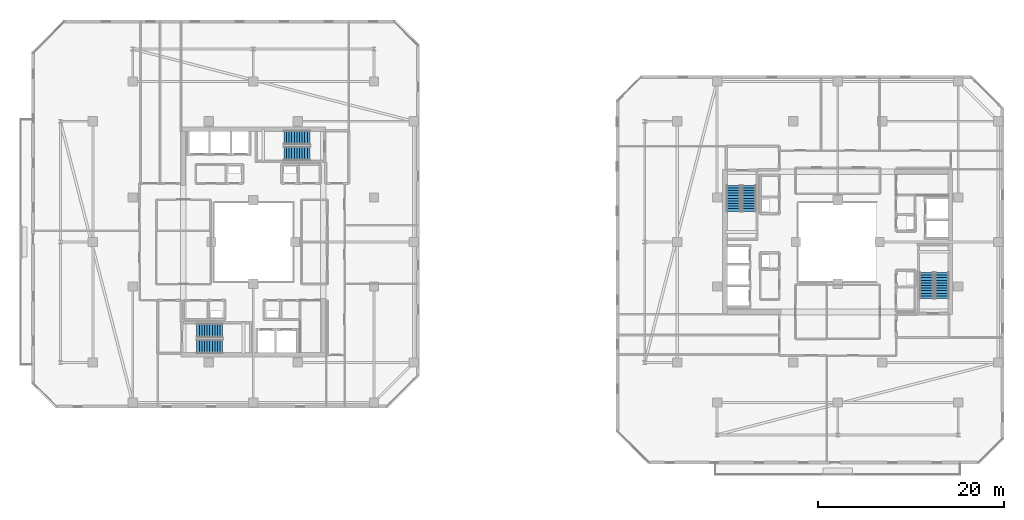
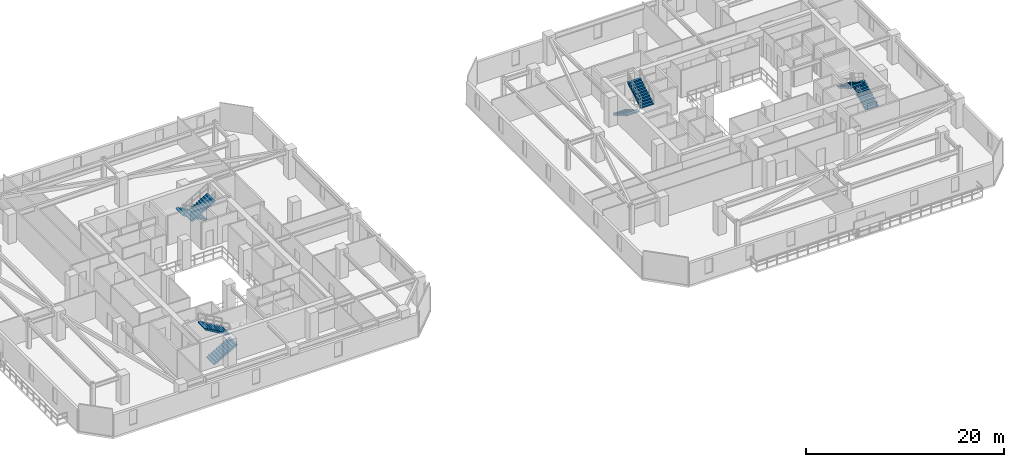
# One storey, part 27 of 33: 8 stair flights, 4 elements without a shape of their own.
"""IFC4 building model written with IfcOpenShell, lengths in metres."""

import ifcopenshell
import ifcopenshell.guid

model = None  # the IFC model being written
_history = None  # IfcOwnerHistory: only IFC2X3 demands one
_inside = {}  # id of a spatial element -> (the spatial element, [elements in it])
_under = {}  # id of a project, library or spatial element -> (it, [spatial elements below it])
_declared = {}  # id of a project -> (the project, [libraries it declares])
_typed = {}  # id of a type object -> (the type object, [elements of that type])
_made_of = {}  # id of a material, layer set ... -> (it, [elements and type objects made of it])


def new_model(schema):
    """Start an empty IFC model of exactly this schema.

    Asked for "IFC4X3", IfcOpenShell would pick the latest addendum, in which some entities
    have other attributes; the version numbers below select the first issue.
    IFC2X3 requires an IfcOwnerHistory on every rooted entity: one is made here for all.
    """
    global model, _history
    if schema == "IFC4X3":
        model = ifcopenshell.file(schema_version=(4, 3, 0, 0))
    else:
        model = ifcopenshell.file(schema=schema)
    _inside.clear()
    _under.clear()
    _declared.clear()
    _typed.clear()
    _made_of.clear()
    _history = None
    if model.schema == "IFC2X3":
        org = make("IfcOrganization", Name="unknown")
        user = make(
            "IfcPersonAndOrganization",
            ThePerson=make("IfcPerson", FamilyName="unknown"),
            TheOrganization=org,
        )
        app = make(
            "IfcApplication",
            ApplicationDeveloper=org,
            Version="unknown",
            ApplicationFullName="unknown",
            ApplicationIdentifier="unknown",
        )
        _history = make(
            "IfcOwnerHistory",
            OwningUser=user,
            OwningApplication=app,
            ChangeAction="ADDED",
            CreationDate=0,
        )
    return model


def make(cls, **values):
    """One entity of the class cls with the attributes given. An attribute that is None is left unset."""
    return model.create_entity(
        cls, **{name: value for name, value in values.items() if value is not None}
    )


def rooted(cls, **values):
    """An entity with a GlobalId (a new one), such as an element, a storey or a relation."""
    return make(cls, GlobalId=ifcopenshell.guid.new(), OwnerHistory=_history, **values)


def si_unit(unit_type, name, prefix=None):
    """IfcSIUnit, for example si_unit("LENGTHUNIT", "METRE", prefix="MILLI")."""
    return make("IfcSIUnit", UnitType=unit_type, Prefix=prefix, Name=name)


def assignment(units):
    """IfcUnitAssignment: the units of a project."""
    return None if units is None else make("IfcUnitAssignment", Units=units)


def point(xyz):
    """IfcCartesianPoint."""
    return None if xyz is None else make("IfcCartesianPoint", Coordinates=xyz)


def direction(xyz):
    """IfcDirection."""
    return None if xyz is None else make("IfcDirection", DirectionRatios=xyz)


def frame(location, z_axis=None, x_axis=None):
    """IfcAxis2Placement3D, a coordinate frame: its origin and axes. An axis left out is left unset."""
    return make(
        "IfcAxis2Placement3D",
        Location=point(location),
        Axis=direction(z_axis),
        RefDirection=direction(x_axis),
    )


def origin():
    """The frame at (0, 0, 0) with its axes left unset."""
    return frame((0.0, 0.0, 0.0))


def place(relative_to, where):
    """IfcLocalPlacement: puts the frame where relative to a parent placement (None: the world)."""
    return make(
        "IfcLocalPlacement", PlacementRelTo=relative_to, RelativePlacement=where
    )


def context(
    kind, dimensions, precision=None, world=None, true_north=None, identifier=None
):
    """IfcGeometricRepresentationContext, for example the 3D "Model" context."""
    return make(
        "IfcGeometricRepresentationContext",
        ContextIdentifier=identifier,
        ContextType=kind,
        CoordinateSpaceDimension=dimensions,
        Precision=precision,
        WorldCoordinateSystem=world,
        TrueNorth=true_north,
    )


def subcontext(parent, identifier, kind, view, scale=None):
    """IfcGeometricRepresentationSubContext, for example "Body" below "Model"."""
    return make(
        "IfcGeometricRepresentationSubContext",
        ContextIdentifier=identifier,
        ContextType=kind,
        ParentContext=parent,
        TargetScale=scale,
        TargetView=view,
    )


def project(units=None, contexts=None):
    """IfcProject with its units and contexts."""
    return rooted(
        "IfcProject",
        Name="project",
        RepresentationContexts=contexts,
        UnitsInContext=assignment(units),
    )


def spatial(cls, under=None, at=None, **own):
    """A site, building, storey or space (cls), placed at a placement, below another one or the project."""
    s = rooted(cls, ObjectPlacement=at, **own)
    if under is not None:
        _under.setdefault(under.id(), (under, []))[1].append(s)
    return s


def polyline(points):
    """IfcPolyline through the points."""
    return make("IfcPolyline", Points=[point(p) for p in points])


def outline(outer, holes=None, kind="AREA"):
    """IfcArbitraryClosedProfileDef: a profile drawn as a closed curve; with holes, ...WithVoids."""
    if holes is None:
        return make("IfcArbitraryClosedProfileDef", ProfileType=kind, OuterCurve=outer)
    return make(
        "IfcArbitraryProfileDefWithVoids",
        ProfileType=kind,
        OuterCurve=outer,
        InnerCurves=holes,
    )


def extrude(swept, where, along, depth):
    """IfcExtrudedAreaSolid: the profile swept, set in the frame where, extruded along a direction by depth."""
    return make(
        "IfcExtrudedAreaSolid",
        SweptArea=swept,
        Position=where,
        ExtrudedDirection=direction(along),
        Depth=depth,
    )


def shape(context_of_items, identifier, shape_type, items):
    """IfcShapeRepresentation: the items that make up one representation, for example the "Body"."""
    return make(
        "IfcShapeRepresentation",
        ContextOfItems=context_of_items,
        RepresentationIdentifier=identifier,
        RepresentationType=shape_type,
        Items=items,
    )


def material(Name=None, Category=None):
    """IfcMaterial."""
    return make("IfcMaterial", Name=Name, Category=Category)


def made_of(thing, what):
    """Note that an element or type object is made of a material, layer set ...; save() writes the relation."""
    if what is not None:
        _made_of.setdefault(what.id(), (what, []))[1].append(thing)
    return thing


def type_object(cls, material=None, **own):
    """A type object (cls), such as IfcWallType, which elements share."""
    return made_of(rooted(cls, **own), material)


def element(
    cls,
    number,
    at=None,
    inside=None,
    cuts=None,
    type_object=None,
    material=None,
    context=None,
    identifier="Body",
    shape_type=None,
    held_by="IfcProductDefinitionShape",
    body=None,
    shapes=None,
    **own,
):
    """One element of the class cls, such as IfcWall. Its Tag is "e" and its number.

    at: its placement. inside: the storey or other place that contains it. cuts: it is an
    opening in that element (IfcRelVoidsElement). A single representation is given by context,
    identifier, shape_type and body (its items); several are given by shapes. held_by: the class
    of the entity that holds the representations. save() writes the other relations.
    """
    e = rooted(cls, Tag="e%d" % number, ObjectPlacement=at, **own)
    if body is not None:
        shapes = [shape(context, identifier, shape_type, body)]
    if shapes is not None:
        e.Representation = make(held_by, Representations=shapes)
    if inside is not None:
        _inside.setdefault(inside.id(), (inside, []))[1].append(e)
    if cuts is not None:
        rooted(
            "IfcRelVoidsElement", RelatingBuildingElement=cuts, RelatedOpeningElement=e
        )
    if type_object is not None:
        _typed.setdefault(type_object.id(), (type_object, []))[1].append(e)
    return made_of(e, material)


def aggregate(whole, parts):
    """IfcRelAggregates: a whole, such as a stair, and the parts it consists of."""
    return rooted("IfcRelAggregates", RelatingObject=whole, RelatedObjects=parts)


def save(model, path):
    """Write the relations noted so far, then the file.

    IfcRelAggregates (storeys below a building ...), IfcRelContainedInSpatialStructure (elements
    in a storey), IfcRelDefinesByType, IfcRelAssociatesMaterial and IfcRelDeclares: one each for
    every whole, place, type object, material and project.
    """
    for whole, parts in _under.values():
        aggregate(whole, parts)
    for where, things in _inside.values():
        rooted(
            "IfcRelContainedInSpatialStructure",
            RelatedElements=things,
            RelatingStructure=where,
        )
    for kind, things in _typed.values():
        rooted("IfcRelDefinesByType", RelatedObjects=things, RelatingType=kind)
    for what, things in _made_of.values():
        rooted("IfcRelAssociatesMaterial", RelatedObjects=things, RelatingMaterial=what)
    for by, libraries in _declared.values():
        rooted("IfcRelDeclares", RelatingContext=by, RelatedDefinitions=libraries)
    model.write(path)


model = new_model("IFC4")

# Units and contexts
model_context = context("Model", 3, precision=1e-05, world=origin(), true_north=direction((0.0, 1.0)))
body_context = subcontext(model_context, "Body", "Model", "MODEL_VIEW")
ifc_project = project(units=[si_unit("LENGTHUNIT", "METRE"), si_unit("AREAUNIT", "SQUARE_METRE"), si_unit("VOLUMEUNIT", "CUBIC_METRE"), si_unit("PLANEANGLEUNIT", "RADIAN"), si_unit("MASSUNIT", "GRAM", prefix="KILO")], contexts=[model_context])

# Site, building, storey
site_placement = place(None, origin())
site = spatial("IfcSite", under=ifc_project, at=site_placement, CompositionType="ELEMENT")
building_placement = place(site_placement, origin())
building = spatial("IfcBuilding", under=site, at=building_placement, Name="Thornwick Lancets Civic Towers", CompositionType="ELEMENT")
storey_placement = place(building_placement, frame((0.0, 0.0, 210.89990234375)))
storey = spatial("IfcBuildingStorey", under=building, at=storey_placement, Name="L56", CompositionType="ELEMENT", Elevation=210.89990234375)

# Stair, stair flights
ifc_material = material(Name="Concrete C40/50", Category="concrete")
stair_type = type_object("IfcStairType", Name="STAIR_DL_3600", PredefinedType="HALF_TURN_STAIR", material=ifc_material)
stair_1_placement = place(storey_placement, origin())
stair_1 = element("IfcStair", 1, at=stair_1_placement, inside=storey, type_object=stair_type, Name="L56 Tower A South Exit Stair ST-A1", PredefinedType="HALF_TURN_STAIR")
stair_flight_type = type_object("IfcStairFlightType", Name="FLIGHT_3600", PredefinedType="STRAIGHT", material=ifc_material)
stair_flight_1_placement = place(storey_placement, frame((19.39990234375, 15.75, 0.0), z_axis=(0.0, 0.0, 1.0), x_axis=(1.0, 0.0, 0.0)))
stair_flight_1 = element("IfcStairFlight", 2, at=stair_flight_1_placement, type_object=stair_flight_type, Name="ST-A1 flight 1", NumberOfRisers=11, NumberOfTreads=10, PredefinedType="STRAIGHT", RiserHeight=0.163636364, TreadLength=0.28, context=body_context, shape_type="SweptSolid", body=[
    extrude(outline(polyline([(0.0, 0.0), (0.0, 0.16357421875), (0.280029296875, 0.16357421875), (0.280029296875, 0.327392578125), (0.56005859375, 0.327392578125), (0.56005859375, 0.490966796875), (0.840087890625, 0.490966796875), (0.840087890625, 0.654541015625), (1.1201171875, 0.654541015625), (1.1201171875, 0.818115234375), (1.39990234375, 0.818115234375), (1.39990234375, 0.98193359375), (1.679931640625, 0.98193359375), (1.679931640625, 1.1455078125), (1.9599609375, 1.1455078125), (1.9599609375, 1.30908203125), (2.239990234375, 1.30908203125), (2.239990234375, 1.47265625), (2.52001953125, 1.47265625), (2.52001953125, 1.636474609375), (2.800048828125, 1.636474609375), (2.800048828125, 1.800048828125), (2.800048828125, 1.462646484375), (0.297119140625, 0.0), (0.0, 0.0)])), frame((0.0, 0.75, 0.0), z_axis=(0.0, -1.0, 0.0), x_axis=(1.0, 0.0, 0.0)), (0.0, 0.0, 1.0), 1.5),
])
stair_flight_2_placement = place(storey_placement, frame((22.199951171875, 17.449951171875, 1.800048828125), z_axis=(0.0, 0.0, 1.0), x_axis=(-1.0, 0.0, 0.0)))
stair_flight_2 = element("IfcStairFlight", 3, at=stair_flight_2_placement, type_object=stair_flight_type, Name="ST-A1 flight 2", NumberOfRisers=11, NumberOfTreads=10, PredefinedType="STRAIGHT", RiserHeight=0.163636364, TreadLength=0.28, context=body_context, shape_type="SweptSolid", body=[
    extrude(outline(polyline([(0.0, 0.0), (0.0, 0.16357421875), (0.280029296875, 0.16357421875), (0.280029296875, 0.327392578125), (0.56005859375, 0.327392578125), (0.56005859375, 0.490966796875), (0.840087890625, 0.490966796875), (0.840087890625, 0.654541015625), (1.1201171875, 0.654541015625), (1.1201171875, 0.818115234375), (1.39990234375, 0.818115234375), (1.39990234375, 0.98193359375), (1.679931640625, 0.98193359375), (1.679931640625, 1.1455078125), (1.9599609375, 1.1455078125), (1.9599609375, 1.30908203125), (2.239990234375, 1.30908203125), (2.239990234375, 1.47265625), (2.52001953125, 1.47265625), (2.52001953125, 1.636474609375), (2.800048828125, 1.636474609375), (2.800048828125, 1.800048828125), (2.800048828125, 1.462646484375), (0.297119140625, 0.0), (0.0, 0.0)])), frame((0.0, 0.75, 0.0), z_axis=(0.0, -1.0, 0.0), x_axis=(1.0, 0.0, 0.0)), (0.0, 0.0, 1.0), 1.5),
])
aggregate(stair_1, [stair_flight_1, stair_flight_2])

stair_2_placement = place(storey_placement, origin())
stair_2 = element("IfcStair", 4, at=stair_2_placement, inside=storey, type_object=stair_type, Name="L56 Tower A North Exit Stair ST-A2", PredefinedType="HALF_TURN_STAIR")
stair_flight_3_placement = place(storey_placement, frame((31.60009765625, 38.25, 0.0), z_axis=(0.0, 0.0, 1.0), x_axis=(-1.0, 0.0, 0.0)))
stair_flight_3 = element("IfcStairFlight", 5, at=stair_flight_3_placement, type_object=stair_flight_type, Name="ST-A2 flight 1", NumberOfRisers=11, NumberOfTreads=10, PredefinedType="STRAIGHT", RiserHeight=0.163636364, TreadLength=0.28, context=body_context, shape_type="SweptSolid", body=[
    extrude(outline(polyline([(0.0, 0.0), (0.0, 0.16357421875), (0.280029296875, 0.16357421875), (0.280029296875, 0.327392578125), (0.56005859375, 0.327392578125), (0.56005859375, 0.490966796875), (0.840087890625, 0.490966796875), (0.840087890625, 0.654541015625), (1.1201171875, 0.654541015625), (1.1201171875, 0.818115234375), (1.39990234375, 0.818115234375), (1.39990234375, 0.98193359375), (1.679931640625, 0.98193359375), (1.679931640625, 1.1455078125), (1.9599609375, 1.1455078125), (1.9599609375, 1.30908203125), (2.239990234375, 1.30908203125), (2.239990234375, 1.47265625), (2.52001953125, 1.47265625), (2.52001953125, 1.636474609375), (2.800048828125, 1.636474609375), (2.800048828125, 1.800048828125), (2.800048828125, 1.462646484375), (0.297119140625, 0.0), (0.0, 0.0)])), frame((0.0, 0.75, 0.0), z_axis=(0.0, -1.0, 0.0), x_axis=(1.0, 0.0, 0.0)), (0.0, 0.0, 1.0), 1.5),
])
stair_flight_4_placement = place(storey_placement, frame((28.800048828125, 36.550048828125, 1.800048828125), z_axis=(0.0, 0.0, 1.0), x_axis=(1.0, 0.0, 0.0)))
stair_flight_4 = element("IfcStairFlight", 6, at=stair_flight_4_placement, type_object=stair_flight_type, Name="ST-A2 flight 2", NumberOfRisers=11, NumberOfTreads=10, PredefinedType="STRAIGHT", RiserHeight=0.163636364, TreadLength=0.28, context=body_context, shape_type="SweptSolid", body=[
    extrude(outline(polyline([(0.0, 0.0), (0.0, 0.16357421875), (0.280029296875, 0.16357421875), (0.280029296875, 0.327392578125), (0.56005859375, 0.327392578125), (0.56005859375, 0.490966796875), (0.840087890625, 0.490966796875), (0.840087890625, 0.654541015625), (1.1201171875, 0.654541015625), (1.1201171875, 0.818115234375), (1.39990234375, 0.818115234375), (1.39990234375, 0.98193359375), (1.679931640625, 0.98193359375), (1.679931640625, 1.1455078125), (1.9599609375, 1.1455078125), (1.9599609375, 1.30908203125), (2.239990234375, 1.30908203125), (2.239990234375, 1.47265625), (2.52001953125, 1.47265625), (2.52001953125, 1.636474609375), (2.800048828125, 1.636474609375), (2.800048828125, 1.800048828125), (2.800048828125, 1.462646484375), (0.297119140625, 0.0), (0.0, 0.0)])), frame((0.0, 0.75, 0.0), z_axis=(0.0, -1.0, 0.0), x_axis=(1.0, 0.0, 0.0)), (0.0, 0.0, 1.0), 1.5),
])
aggregate(stair_2, [stair_flight_3, stair_flight_4])

stair_3_placement = place(storey_placement, origin())
stair_3 = element("IfcStair", 7, at=stair_3_placement, inside=storey, type_object=stair_type, Name="L56 Tower B East Exit Stair ST-B1", PredefinedType="HALF_TURN_STAIR")
stair_flight_5_placement = place(storey_placement, frame((99.75, 20.89990234375, 0.0), z_axis=(0.0, 0.0, 1.0), x_axis=(0.0, 1.0, 0.0)))
stair_flight_5 = element("IfcStairFlight", 8, at=stair_flight_5_placement, type_object=stair_flight_type, Name="ST-B1 flight 1", NumberOfRisers=11, NumberOfTreads=10, PredefinedType="STRAIGHT", RiserHeight=0.163636364, TreadLength=0.28, context=body_context, shape_type="SweptSolid", body=[
    extrude(outline(polyline([(0.0, 0.0), (0.0, 0.16357421875), (0.280029296875, 0.16357421875), (0.280029296875, 0.327392578125), (0.56005859375, 0.327392578125), (0.56005859375, 0.490966796875), (0.840087890625, 0.490966796875), (0.840087890625, 0.654541015625), (1.1201171875, 0.654541015625), (1.1201171875, 0.818115234375), (1.39990234375, 0.818115234375), (1.39990234375, 0.98193359375), (1.679931640625, 0.98193359375), (1.679931640625, 1.1455078125), (1.9599609375, 1.1455078125), (1.9599609375, 1.30908203125), (2.239990234375, 1.30908203125), (2.239990234375, 1.47265625), (2.52001953125, 1.47265625), (2.52001953125, 1.636474609375), (2.800048828125, 1.636474609375), (2.800048828125, 1.800048828125), (2.800048828125, 1.462646484375), (0.297119140625, 0.0), (0.0, 0.0)])), frame((0.0, 0.75, 0.0), z_axis=(0.0, -1.0, 0.0), x_axis=(1.0, 0.0, 0.0)), (0.0, 0.0, 1.0), 1.5),
])
stair_flight_6_placement = place(storey_placement, frame((98.050048828125, 23.699951171875, 1.800048828125), z_axis=(0.0, 0.0, 1.0), x_axis=(0.0, -1.0, 0.0)))
stair_flight_6 = element("IfcStairFlight", 9, at=stair_flight_6_placement, type_object=stair_flight_type, Name="ST-B1 flight 2", NumberOfRisers=11, NumberOfTreads=10, PredefinedType="STRAIGHT", RiserHeight=0.163636364, TreadLength=0.28, context=body_context, shape_type="SweptSolid", body=[
    extrude(outline(polyline([(0.0, 0.0), (0.0, 0.16357421875), (0.280029296875, 0.16357421875), (0.280029296875, 0.327392578125), (0.56005859375, 0.327392578125), (0.56005859375, 0.490966796875), (0.840087890625, 0.490966796875), (0.840087890625, 0.654541015625), (1.1201171875, 0.654541015625), (1.1201171875, 0.818115234375), (1.39990234375, 0.818115234375), (1.39990234375, 0.98193359375), (1.679931640625, 0.98193359375), (1.679931640625, 1.1455078125), (1.9599609375, 1.1455078125), (1.9599609375, 1.30908203125), (2.239990234375, 1.30908203125), (2.239990234375, 1.47265625), (2.52001953125, 1.47265625), (2.52001953125, 1.636474609375), (2.800048828125, 1.636474609375), (2.800048828125, 1.800048828125), (2.800048828125, 1.462646484375), (0.297119140625, 0.0), (0.0, 0.0)])), frame((0.0, 0.75, 0.0), z_axis=(0.0, -1.0, 0.0), x_axis=(1.0, 0.0, 0.0)), (0.0, 0.0, 1.0), 1.5),
])
aggregate(stair_3, [stair_flight_5, stair_flight_6])

stair_4_placement = place(storey_placement, origin())
stair_4 = element("IfcStair", 10, at=stair_4_placement, inside=storey, type_object=stair_type, Name="L56 Tower B West Exit Stair ST-B2", PredefinedType="HALF_TURN_STAIR")
stair_flight_7_placement = place(storey_placement, frame((77.25, 33.10009765625, 0.0), z_axis=(0.0, 0.0, 1.0), x_axis=(0.0, -1.0, 0.0)))
stair_flight_7 = element("IfcStairFlight", 11, at=stair_flight_7_placement, type_object=stair_flight_type, Name="ST-B2 flight 1", NumberOfRisers=11, NumberOfTreads=10, PredefinedType="STRAIGHT", RiserHeight=0.163636364, TreadLength=0.28, context=body_context, shape_type="SweptSolid", body=[
    extrude(outline(polyline([(0.0, 0.0), (0.0, 0.16357421875), (0.280029296875, 0.16357421875), (0.280029296875, 0.327392578125), (0.56005859375, 0.327392578125), (0.56005859375, 0.490966796875), (0.840087890625, 0.490966796875), (0.840087890625, 0.654541015625), (1.1201171875, 0.654541015625), (1.1201171875, 0.818115234375), (1.39990234375, 0.818115234375), (1.39990234375, 0.98193359375), (1.679931640625, 0.98193359375), (1.679931640625, 1.1455078125), (1.9599609375, 1.1455078125), (1.9599609375, 1.30908203125), (2.239990234375, 1.30908203125), (2.239990234375, 1.47265625), (2.52001953125, 1.47265625), (2.52001953125, 1.636474609375), (2.800048828125, 1.636474609375), (2.800048828125, 1.800048828125), (2.800048828125, 1.462646484375), (0.297119140625, 0.0), (0.0, 0.0)])), frame((0.0, 0.75, 0.0), z_axis=(0.0, -1.0, 0.0), x_axis=(1.0, 0.0, 0.0)), (0.0, 0.0, 1.0), 1.5),
])
stair_flight_8_placement = place(storey_placement, frame((78.949951171875, 30.300048828125, 1.800048828125), z_axis=(0.0, 0.0, 1.0), x_axis=(0.0, 1.0, 0.0)))
stair_flight_8 = element("IfcStairFlight", 12, at=stair_flight_8_placement, type_object=stair_flight_type, Name="ST-B2 flight 2", NumberOfRisers=11, NumberOfTreads=10, PredefinedType="STRAIGHT", RiserHeight=0.163636364, TreadLength=0.28, context=body_context, shape_type="SweptSolid", body=[
    extrude(outline(polyline([(0.0, 0.0), (0.0, 0.16357421875), (0.280029296875, 0.16357421875), (0.280029296875, 0.327392578125), (0.56005859375, 0.327392578125), (0.56005859375, 0.490966796875), (0.840087890625, 0.490966796875), (0.840087890625, 0.654541015625), (1.1201171875, 0.654541015625), (1.1201171875, 0.818115234375), (1.39990234375, 0.818115234375), (1.39990234375, 0.98193359375), (1.679931640625, 0.98193359375), (1.679931640625, 1.1455078125), (1.9599609375, 1.1455078125), (1.9599609375, 1.30908203125), (2.239990234375, 1.30908203125), (2.239990234375, 1.47265625), (2.52001953125, 1.47265625), (2.52001953125, 1.636474609375), (2.800048828125, 1.636474609375), (2.800048828125, 1.800048828125), (2.800048828125, 1.462646484375), (0.297119140625, 0.0), (0.0, 0.0)])), frame((0.0, 0.75, 0.0), z_axis=(0.0, -1.0, 0.0), x_axis=(1.0, 0.0, 0.0)), (0.0, 0.0, 1.0), 1.5),
])
aggregate(stair_4, [stair_flight_7, stair_flight_8])

save(model, "model.ifc")
